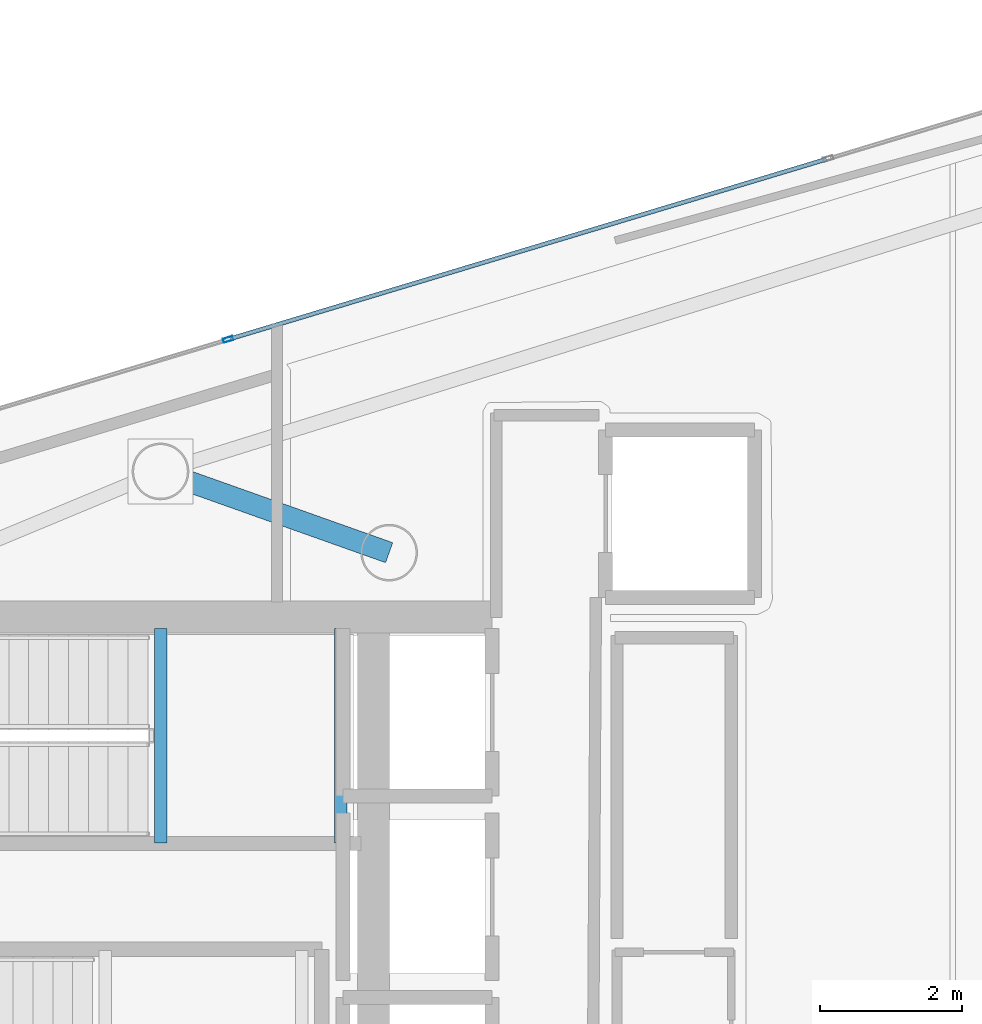
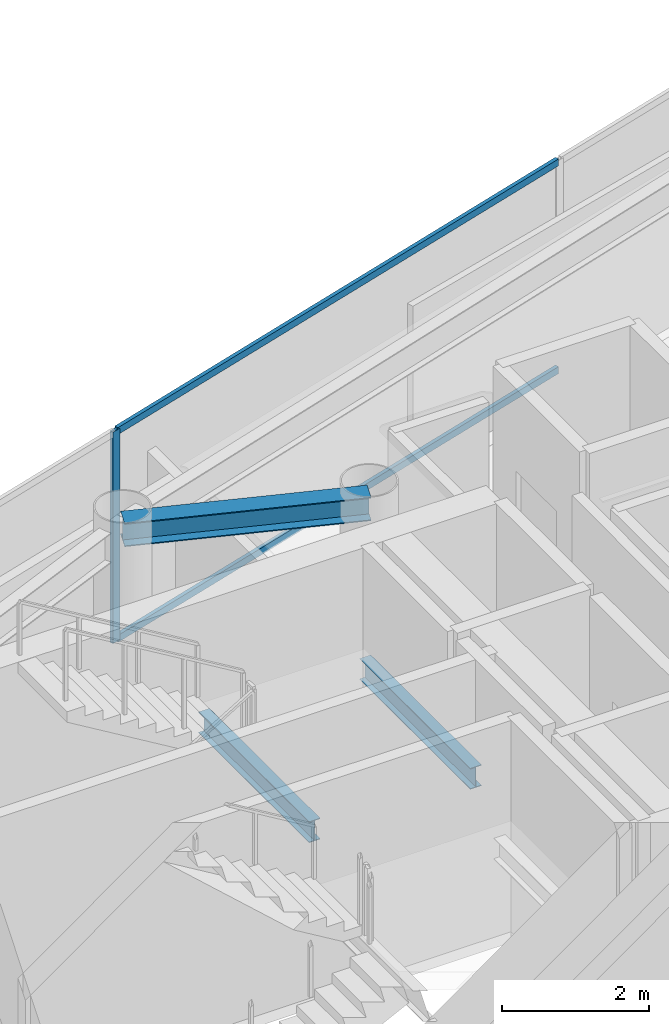
# One storey, part 11 of 19: 3 beams, 3 members, 1 element without a shape of its own.
"""IFC4 building model written with IfcOpenShell, lengths in metres."""

import ifcopenshell
import ifcopenshell.guid

model = None  # the IFC model being written
_history = None  # IfcOwnerHistory: only IFC2X3 demands one
_inside = {}  # id of a spatial element -> (the spatial element, [elements in it])
_under = {}  # id of a project, library or spatial element -> (it, [spatial elements below it])
_declared = {}  # id of a project -> (the project, [libraries it declares])
_typed = {}  # id of a type object -> (the type object, [elements of that type])
_made_of = {}  # id of a material, layer set ... -> (it, [elements and type objects made of it])


def new_model(schema):
    """Start an empty IFC model of exactly this schema.

    Asked for "IFC4X3", IfcOpenShell would pick the latest addendum, in which some entities
    have other attributes; the version numbers below select the first issue.
    IFC2X3 requires an IfcOwnerHistory on every rooted entity: one is made here for all.
    """
    global model, _history
    if schema == "IFC4X3":
        model = ifcopenshell.file(schema_version=(4, 3, 0, 0))
    else:
        model = ifcopenshell.file(schema=schema)
    _inside.clear()
    _under.clear()
    _declared.clear()
    _typed.clear()
    _made_of.clear()
    _history = None
    if model.schema == "IFC2X3":
        org = make("IfcOrganization", Name="unknown")
        user = make(
            "IfcPersonAndOrganization",
            ThePerson=make("IfcPerson", FamilyName="unknown"),
            TheOrganization=org,
        )
        app = make(
            "IfcApplication",
            ApplicationDeveloper=org,
            Version="unknown",
            ApplicationFullName="unknown",
            ApplicationIdentifier="unknown",
        )
        _history = make(
            "IfcOwnerHistory",
            OwningUser=user,
            OwningApplication=app,
            ChangeAction="ADDED",
            CreationDate=0,
        )
    return model


def make(cls, **values):
    """One entity of the class cls with the attributes given. An attribute that is None is left unset."""
    return model.create_entity(
        cls, **{name: value for name, value in values.items() if value is not None}
    )


def rooted(cls, **values):
    """An entity with a GlobalId (a new one), such as an element, a storey or a relation."""
    return make(cls, GlobalId=ifcopenshell.guid.new(), OwnerHistory=_history, **values)


def si_unit(unit_type, name, prefix=None):
    """IfcSIUnit, for example si_unit("LENGTHUNIT", "METRE", prefix="MILLI")."""
    return make("IfcSIUnit", UnitType=unit_type, Prefix=prefix, Name=name)


def assignment(units):
    """IfcUnitAssignment: the units of a project."""
    return None if units is None else make("IfcUnitAssignment", Units=units)


def point(xyz):
    """IfcCartesianPoint."""
    return None if xyz is None else make("IfcCartesianPoint", Coordinates=xyz)


def direction(xyz):
    """IfcDirection."""
    return None if xyz is None else make("IfcDirection", DirectionRatios=xyz)


def frame(location, z_axis=None, x_axis=None):
    """IfcAxis2Placement3D, a coordinate frame: its origin and axes. An axis left out is left unset."""
    return make(
        "IfcAxis2Placement3D",
        Location=point(location),
        Axis=direction(z_axis),
        RefDirection=direction(x_axis),
    )


def frame_2d(location, x_axis=None):
    """IfcAxis2Placement2D, a coordinate frame in the plane: its origin and x axis."""
    return make(
        "IfcAxis2Placement2D", Location=point(location), RefDirection=direction(x_axis)
    )


def origin():
    """The frame at (0, 0, 0) with its axes left unset."""
    return frame((0.0, 0.0, 0.0))


def origin_2d():
    """The frame at (0, 0) in the plane with its x axis left unset."""
    return frame_2d((0.0, 0.0))


def place(relative_to, where):
    """IfcLocalPlacement: puts the frame where relative to a parent placement (None: the world)."""
    return make(
        "IfcLocalPlacement", PlacementRelTo=relative_to, RelativePlacement=where
    )


def context(
    kind, dimensions, precision=None, world=None, true_north=None, identifier=None
):
    """IfcGeometricRepresentationContext, for example the 3D "Model" context."""
    return make(
        "IfcGeometricRepresentationContext",
        ContextIdentifier=identifier,
        ContextType=kind,
        CoordinateSpaceDimension=dimensions,
        Precision=precision,
        WorldCoordinateSystem=world,
        TrueNorth=true_north,
    )


def subcontext(parent, identifier, kind, view, scale=None):
    """IfcGeometricRepresentationSubContext, for example "Body" below "Model"."""
    return make(
        "IfcGeometricRepresentationSubContext",
        ContextIdentifier=identifier,
        ContextType=kind,
        ParentContext=parent,
        TargetScale=scale,
        TargetView=view,
    )


def project(units=None, contexts=None):
    """IfcProject with its units and contexts."""
    return rooted(
        "IfcProject",
        Name="project",
        RepresentationContexts=contexts,
        UnitsInContext=assignment(units),
    )


def spatial(cls, under=None, at=None, **own):
    """A site, building, storey or space (cls), placed at a placement, below another one or the project."""
    s = rooted(cls, ObjectPlacement=at, **own)
    if under is not None:
        _under.setdefault(under.id(), (under, []))[1].append(s)
    return s


def profile(cls, at=None, kind="AREA", **sizes):
    """A parametric profile (cls). Its sizes go by their IFC names, for example OverallWidth=200.0."""
    return make(cls, ProfileType=kind, Position=at, **sizes)


def hollow_rectangle(**sizes):
    """IfcRectangleHollowProfileDef."""
    return profile("IfcRectangleHollowProfileDef", **sizes)


def i_section(**sizes):
    """IfcIShapeProfileDef."""
    return profile("IfcIShapeProfileDef", **sizes)


def extrude(swept, where, along, depth):
    """IfcExtrudedAreaSolid: the profile swept, set in the frame where, extruded along a direction by depth."""
    return make(
        "IfcExtrudedAreaSolid",
        SweptArea=swept,
        Position=where,
        ExtrudedDirection=direction(along),
        Depth=depth,
    )


def shape(context_of_items, identifier, shape_type, items):
    """IfcShapeRepresentation: the items that make up one representation, for example the "Body"."""
    return make(
        "IfcShapeRepresentation",
        ContextOfItems=context_of_items,
        RepresentationIdentifier=identifier,
        RepresentationType=shape_type,
        Items=items,
    )


def material(Name=None, Category=None):
    """IfcMaterial."""
    return make("IfcMaterial", Name=Name, Category=Category)


def layer(
    of_material, thickness, ventilated=None, Name=None, Category=None, Priority=None
):
    """IfcMaterialLayer: one layer of a wall or slab, of a material (None: an air gap)."""
    return make(
        "IfcMaterialLayer",
        Material=of_material,
        LayerThickness=thickness,
        IsVentilated=ventilated,
        Name=Name,
        Category=Category,
        Priority=Priority,
    )


def layer_set(layers, Name=None):
    """IfcMaterialLayerSet."""
    return make("IfcMaterialLayerSet", MaterialLayers=layers, LayerSetName=Name)


def material_profile(
    of_material, cross_section, Name=None, Category=None, Priority=None
):
    """IfcMaterialProfile: a cross section and its material."""
    return make(
        "IfcMaterialProfile",
        Name=Name,
        Material=of_material,
        Profile=cross_section,
        Priority=Priority,
        Category=Category,
    )


def profile_set(profiles, Name=None, composite=None):
    """IfcMaterialProfileSet."""
    return make(
        "IfcMaterialProfileSet",
        Name=Name,
        MaterialProfiles=profiles,
        CompositeProfile=composite,
    )


def made_of(thing, what):
    """Note that an element or type object is made of a material, layer set ...; save() writes the relation."""
    if what is not None:
        _made_of.setdefault(what.id(), (what, []))[1].append(thing)
    return thing


def type_object(cls, material=None, **own):
    """A type object (cls), such as IfcWallType, which elements share."""
    return made_of(rooted(cls, **own), material)


def element(
    cls,
    number,
    at=None,
    inside=None,
    cuts=None,
    type_object=None,
    material=None,
    context=None,
    identifier="Body",
    shape_type=None,
    held_by="IfcProductDefinitionShape",
    body=None,
    shapes=None,
    **own,
):
    """One element of the class cls, such as IfcWall. Its Tag is "e" and its number.

    at: its placement. inside: the storey or other place that contains it. cuts: it is an
    opening in that element (IfcRelVoidsElement). A single representation is given by context,
    identifier, shape_type and body (its items); several are given by shapes. held_by: the class
    of the entity that holds the representations. save() writes the other relations.
    """
    e = rooted(cls, Tag="e%d" % number, ObjectPlacement=at, **own)
    if body is not None:
        shapes = [shape(context, identifier, shape_type, body)]
    if shapes is not None:
        e.Representation = make(held_by, Representations=shapes)
    if inside is not None:
        _inside.setdefault(inside.id(), (inside, []))[1].append(e)
    if cuts is not None:
        rooted(
            "IfcRelVoidsElement", RelatingBuildingElement=cuts, RelatedOpeningElement=e
        )
    if type_object is not None:
        _typed.setdefault(type_object.id(), (type_object, []))[1].append(e)
    return made_of(e, material)


def aggregate(whole, parts):
    """IfcRelAggregates: a whole, such as a stair, and the parts it consists of."""
    return rooted("IfcRelAggregates", RelatingObject=whole, RelatedObjects=parts)


def save(model, path):
    """Write the relations noted so far, then the file.

    IfcRelAggregates (storeys below a building ...), IfcRelContainedInSpatialStructure (elements
    in a storey), IfcRelDefinesByType, IfcRelAssociatesMaterial and IfcRelDeclares: one each for
    every whole, place, type object, material and project.
    """
    for whole, parts in _under.values():
        aggregate(whole, parts)
    for where, things in _inside.values():
        rooted(
            "IfcRelContainedInSpatialStructure",
            RelatedElements=things,
            RelatingStructure=where,
        )
    for kind, things in _typed.values():
        rooted("IfcRelDefinesByType", RelatedObjects=things, RelatingType=kind)
    for what, things in _made_of.values():
        rooted("IfcRelAssociatesMaterial", RelatedObjects=things, RelatingMaterial=what)
    for by, libraries in _declared.values():
        rooted("IfcRelDeclares", RelatingContext=by, RelatedDefinitions=libraries)
    model.write(path)


model = new_model("IFC4")

# Units and contexts
model_context = context("Model", 3, precision=1e-05, world=origin(), true_north=direction((0.0, 1.0)))
body_context = subcontext(model_context, "Body", "Model", "MODEL_VIEW")
ifc_project = project(units=[si_unit("LENGTHUNIT", "METRE"), si_unit("AREAUNIT", "SQUARE_METRE"), si_unit("VOLUMEUNIT", "CUBIC_METRE"), si_unit("PLANEANGLEUNIT", "RADIAN"), si_unit("MASSUNIT", "GRAM", prefix="KILO")], contexts=[model_context])

# Site, building, storey
site_placement = place(None, origin())
site = spatial("IfcSite", under=ifc_project, at=site_placement, CompositionType="ELEMENT")
building_placement = place(site_placement, origin())
building = spatial("IfcBuilding", under=site, at=building_placement, Name="Qianvela Tower", CompositionType="ELEMENT")
storey_placement = place(building_placement, frame((0.0, 0.0, 325.89990234375)))
storey = spatial("IfcBuildingStorey", under=building, at=storey_placement, Name="L84", CompositionType="ELEMENT", Elevation=325.89990234375)

# Beams
ifc_material_1 = material(Name="Steel Q355B", Category="steel")
ifc_material_profile_1 = material_profile(ifc_material_1, i_section(OverallWidth=0.300048828125, OverallDepth=0.389892578125, WebThickness=0.010009765625, FlangeThickness=0.01611328125, at=origin_2d()), Name="HM390x300x10x16")
ifc_profile_set_1 = profile_set([ifc_material_profile_1], Name="Steel Q355B")
beam_type_1 = type_object("IfcBeamType", Name="BM-HM390-COLL", PredefinedType="BEAM", material=ifc_profile_set_1)
beam_placement = place(storey_placement, frame((38.39990234375, 33.550048828125, 3.322998046875), z_axis=(-0.942297777183, 0.334775893871, 0.0), x_axis=(-0.334775893871, -0.942297777183, 0.0)))
element("IfcBeam", 1, at=beam_placement, inside=storey, type_object=beam_type_1, Name="L84 Radial Primary Floor Girder 2", PredefinedType="BEAM", context=body_context, shape_type="SweptSolid", body=[
    extrude(i_section(OverallWidth=0.300048828125, OverallDepth=0.389892578125, WebThickness=0.010009765625, FlangeThickness=0.01611328125, at=origin_2d()), origin(), (0.0, 0.0, 1.0), 3.420166015625),
])
ifc_material_2 = material(Name="Steel Q355B", Category="steel")
ifc_material_profile_2 = material_profile(ifc_material_2, i_section(OverallWidth=0.175048828125, OverallDepth=0.35009765625, WebThickness=0.007080078125, FlangeThickness=0.010986328125, at=origin_2d()), Name="HN350x175x7x11")
ifc_profile_set_2 = profile_set([ifc_material_profile_2], Name="Steel Q355B")
beam_type_2 = type_object("IfcBeamType", Name="BM-HN350-JOIST", PredefinedType="JOIST", material=ifc_profile_set_2)
for number, where, z_axis, x_axis, name in (
    (2, (35.179931640625, 29.4599609375, 1.47509765625), (0.0, 1.0, 0.0), (-1.0, 0.0, 0.0), "L84 Stair ST-1 Landing Support Beam 1.1"),
    (3, (37.719970703125, 29.4599609375, 1.47509765625), (0.0, 1.0, 0.0), (-1.0, 0.0, 0.0), "L84 Stair ST-1 Landing Support Beam 1.2"),
):
    element("IfcBeam", number, at=place(storey_placement, frame(where, z_axis=z_axis, x_axis=x_axis)), inside=storey, type_object=beam_type_2, Name=name, PredefinedType="JOIST", context=body_context, shape_type="SweptSolid", body=[
        extrude(i_section(OverallWidth=0.175048828125, OverallDepth=0.35009765625, WebThickness=0.007080078125, FlangeThickness=0.010986328125, at=origin_2d()), origin(), (0.0, 0.0, 1.0), 3.02001953125),
    ])

# Curtain wall, members
ifc_material_3 = material(Name="Anodised Architectural Aluminium and Low-E Glass", Category="aluminium")
ifc_layer = layer(ifc_material_3, 0.14990234375)
ifc_layer_set = layer_set([ifc_layer], Name="Anodised Architectural Aluminium and Low-E Glass")
curtain_wall_type = type_object("IfcCurtainWallType", Name="CW-COLIV-Z78", PredefinedType="USERDEFINED", material=ifc_layer_set)
curtain_wall_placement = place(storey_placement, origin())
curtain_wall = element("IfcCurtainWall", 4, at=curtain_wall_placement, inside=storey, type_object=curtain_wall_type, Name="L84 CW-COLIV-Z78 Curtain Wall 02A", ObjectType="CURTAIN_WALL_SYSTEM", PredefinedType="USERDEFINED")
ifc_material_4 = material(Name="Anodised Architectural Aluminium 6063-T6", Category="aluminium")
ifc_material_profile_3 = material_profile(ifc_material_4, hollow_rectangle(XDim=0.06005859375, YDim=0.139892578125, WallThickness=0.00439453125, at=origin_2d()), Name="ALU-MULL-60x140")
ifc_profile_set_3 = profile_set([ifc_material_profile_3], Name="Anodised Architectural Aluminium 6063-T6")
member_type_1 = type_object("IfcMemberType", Name="CW-COLIV-Z78-MULL", PredefinedType="MULLION", material=ifc_profile_set_3)
member_1_placement = place(storey_placement, frame((36.12939453125, 36.5556640625, 0.0), z_axis=(0.0, 0.0, 1.0), x_axis=(0.288480373472, -0.957485808835, 0.0)))
member_1 = element("IfcMember", 5, at=member_1_placement, type_object=member_type_1, Name="CW-6 mullion 3", PredefinedType="MULLION", context=body_context, shape_type="SweptSolid", body=[
    extrude(hollow_rectangle(XDim=0.06005859375, YDim=0.139892578125, WallThickness=0.00439453125, at=origin_2d()), origin(), (0.0, 0.0, 1.0), 3.52001953125),
])
ifc_material_5 = material(Name="Anodised Architectural Aluminium 6063-T6", Category="aluminium")
ifc_material_profile_4 = material_profile(ifc_material_5, hollow_rectangle(XDim=0.06005859375, YDim=0.114990234375, WallThickness=0.00390625, at=origin_2d()), Name="ALU-TRAN-60x115")
ifc_profile_set_4 = profile_set([ifc_material_profile_4], Name="Anodised Architectural Aluminium 6063-T6")
member_type_2 = type_object("IfcMemberType", Name="CW-COLIV-Z78-TRAN", PredefinedType="USERDEFINED", material=ifc_profile_set_4)
member_2_placement = place(storey_placement, frame((44.561767578125, 39.09619140625, 0.030029296875), z_axis=(-0.957483382254, -0.288488427337, 0.0), x_axis=(0.288488427337, -0.957483382254, 0.0)))
member_2 = element("IfcMember", 6, at=member_2_placement, type_object=member_type_2, Name="CW-6 transom 2.1", ObjectType="TRANSOM", PredefinedType="USERDEFINED", context=body_context, shape_type="SweptSolid", body=[
    extrude(hollow_rectangle(XDim=0.06005859375, YDim=0.114990234375, WallThickness=0.00390625, at=origin_2d()), origin(), (0.0, 0.0, 1.0), 8.776611328125),
])
member_3_placement = place(storey_placement, frame((44.561767578125, 39.09619140625, 3.489990234375), z_axis=(-0.957483382254, -0.288488427337, 0.0), x_axis=(0.288488427337, -0.957483382254, 0.0)))
member_3 = element("IfcMember", 7, at=member_3_placement, type_object=member_type_2, Name="CW-6 transom 2.2", ObjectType="TRANSOM", PredefinedType="USERDEFINED", context=body_context, shape_type="SweptSolid", body=[
    extrude(hollow_rectangle(XDim=0.06005859375, YDim=0.114990234375, WallThickness=0.00390625, at=origin_2d()), origin(), (0.0, 0.0, 1.0), 8.776611328125),
])
aggregate(curtain_wall, [member_1, member_2, member_3])

save(model, "model.ifc")
